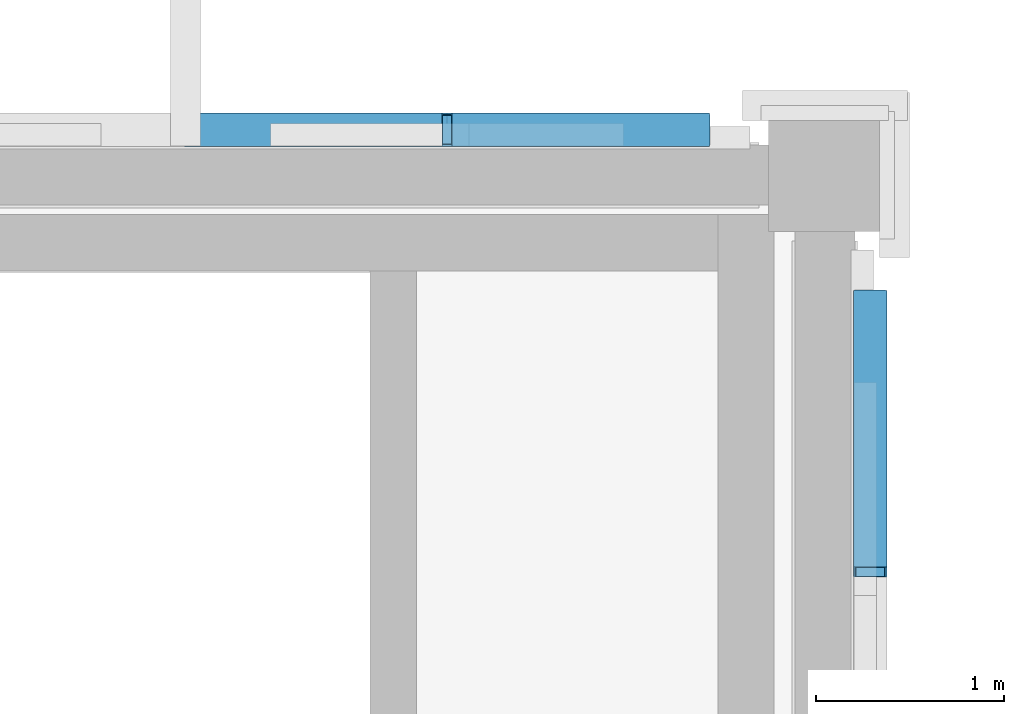
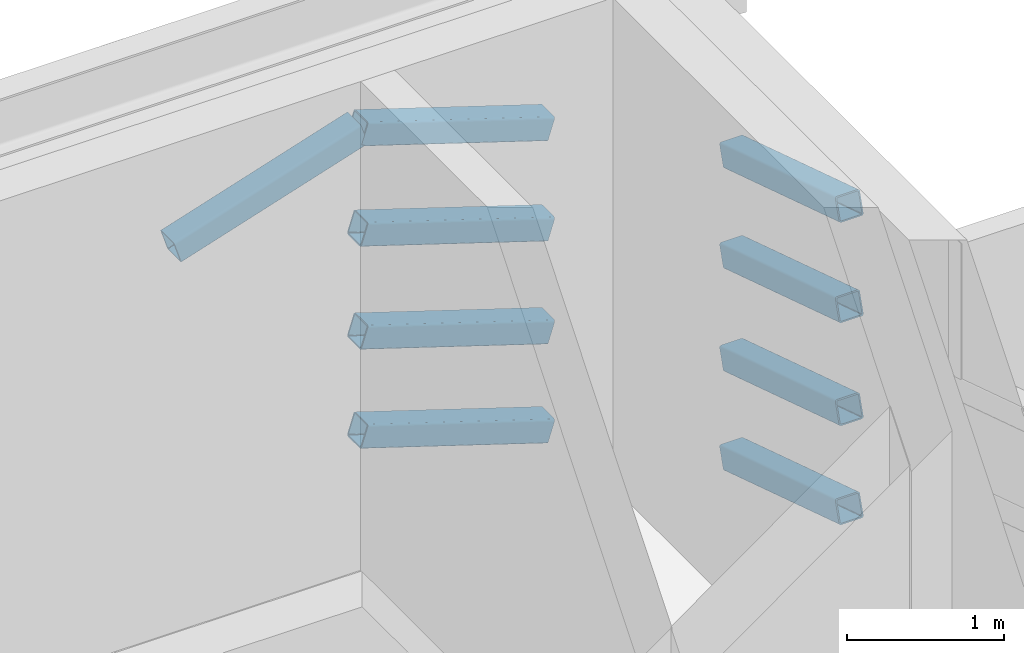
# One storey, part 150 of 180: 9 plates.
"""IFC4 building model written with IfcOpenShell, lengths in metres."""

from ifc_helpers import new_model, si_unit, direction, frame, origin, origin_2d, place, context, subcontext, project, spatial, hollow_rectangle, extrude, material, material_profile, profile_set, type_object, element, save


model = new_model("IFC4")

# Units and contexts
model_context = context("Model", 3, precision=1e-05, world=origin(), true_north=direction((0.0, 1.0)))
body_context = subcontext(model_context, "Body", "Model", "MODEL_VIEW")
ifc_project = project(units=[si_unit("LENGTHUNIT", "METRE"), si_unit("AREAUNIT", "SQUARE_METRE"), si_unit("VOLUMEUNIT", "CUBIC_METRE"), si_unit("PLANEANGLEUNIT", "RADIAN"), si_unit("MASSUNIT", "GRAM", prefix="KILO")], contexts=[model_context])

# Site, building, storey
site_placement = place(None, origin())
site = spatial("IfcSite", under=ifc_project, at=site_placement, CompositionType="ELEMENT")
building_placement = place(site_placement, origin())
building = spatial("IfcBuilding", under=site, at=building_placement, Name="Asteropetra Specialist Clinic", CompositionType="ELEMENT")
storey_placement = place(building_placement, frame((0.0, 0.0, 4.419921875)))
storey = spatial("IfcBuildingStorey", under=building, at=storey_placement, Name="L01", CompositionType="ELEMENT", Elevation=4.419921875)

# Plates
ifc_material = material(Name="Chevron emerald aluminium 6063-T6", Category="aluminium")
ifc_material_profile = material_profile(ifc_material, hollow_rectangle(XDim=0.179931640625, YDim=0.179931640625, WallThickness=0.010009765625, InnerFilletRadius=0.008056640625, OuterFilletRadius=0.01611328125, at=origin_2d()), Name="SHS 180x180x10.0")
ifc_profile_set = profile_set([ifc_material_profile], Name="Chevron emerald aluminium 6063-T6")
plate_type = type_object("IfcPlateType", Name="CHV-RIB-180", PredefinedType="SHEET", material=ifc_profile_set)
for number, where, z_axis, x_axis, name in (
    (1, (152.9599609375, 105.842041015625, 0.050048828125), (-0.952473286797, 0.0, 0.304622123191), (0.0, -1.0, 0.0), "Chevron Facade Screen Fin CVR-0223"),
    (2, (152.9599609375, 105.842041015625, 0.820068359375), (-0.952473286797, 0.0, 0.304622123191), (0.0, -1.0, 0.0), "Chevron Facade Screen Fin CVR-0225"),
    (3, (152.9599609375, 105.842041015625, 1.6201171875), (-0.952473286797, 0.0, 0.304622123191), (0.0, -1.0, 0.0), "Chevron Facade Screen Fin CVR-0227"),
    (4, (152.9599609375, 105.842041015625, 2.400146484375), (-0.952473286797, 0.0, 0.304622123191), (0.0, -1.0, 0.0), "Chevron Facade Screen Fin CVR-0229"),
    (5, (151.586669921875, 105.842041015625, 2.83935546875), (-0.952473286797, 0.0, -0.304622123191), (0.0, -1.0, 0.0), "Chevron Facade Screen Fin CVR-0230"),
):
    element("IfcPlate", number, at=place(storey_placement, frame(where, z_axis=z_axis, x_axis=x_axis)), inside=storey, type_object=plate_type, Name=name, PredefinedType="SHEET", context=body_context, shape_type="SweptSolid", body=[
        extrude(hollow_rectangle(XDim=0.179931640625, YDim=0.179931640625, WallThickness=0.010009765625, InnerFilletRadius=0.008056640625, OuterFilletRadius=0.01611328125, at=origin_2d()), origin(), (0.0, 0.0, 1.0), 1.44189453125),
    ])
for number, where, z_axis, x_axis, name in (
    (6, (153.842041015625, 103.485107421875, 0.521484375), (0.0, 0.952521130358, -0.304472488449), (-1.0, 0.0, 0.0), "Chevron Facade Screen Fin CVR-0356"),
    (7, (153.842041015625, 103.485107421875, 1.29150390625), (0.0, 0.952521130358, -0.304472488449), (-1.0, 0.0, 0.0), "Chevron Facade Screen Fin CVR-0358"),
    (8, (153.842041015625, 103.485107421875, 2.091552734375), (0.0, 0.952521130358, -0.304472488449), (-1.0, 0.0, 0.0), "Chevron Facade Screen Fin CVR-0360"),
    (9, (153.842041015625, 103.485107421875, 2.87158203125), (0.0, 0.952521130358, -0.304472488449), (-1.0, 0.0, 0.0), "Chevron Facade Screen Fin CVR-0362"),
):
    element("IfcPlate", number, at=place(storey_placement, frame(where, z_axis=z_axis, x_axis=x_axis)), inside=storey, type_object=plate_type, Name=name, PredefinedType="SHEET", context=body_context, shape_type="SweptSolid", body=[
        extrude(hollow_rectangle(XDim=0.179931640625, YDim=0.179931640625, WallThickness=0.010009765625, InnerFilletRadius=0.008056640625, OuterFilletRadius=0.01611328125, at=origin_2d()), origin(), (0.0, 0.0, 1.0), 1.54833984375),
    ])

save(model, "model.ifc")
